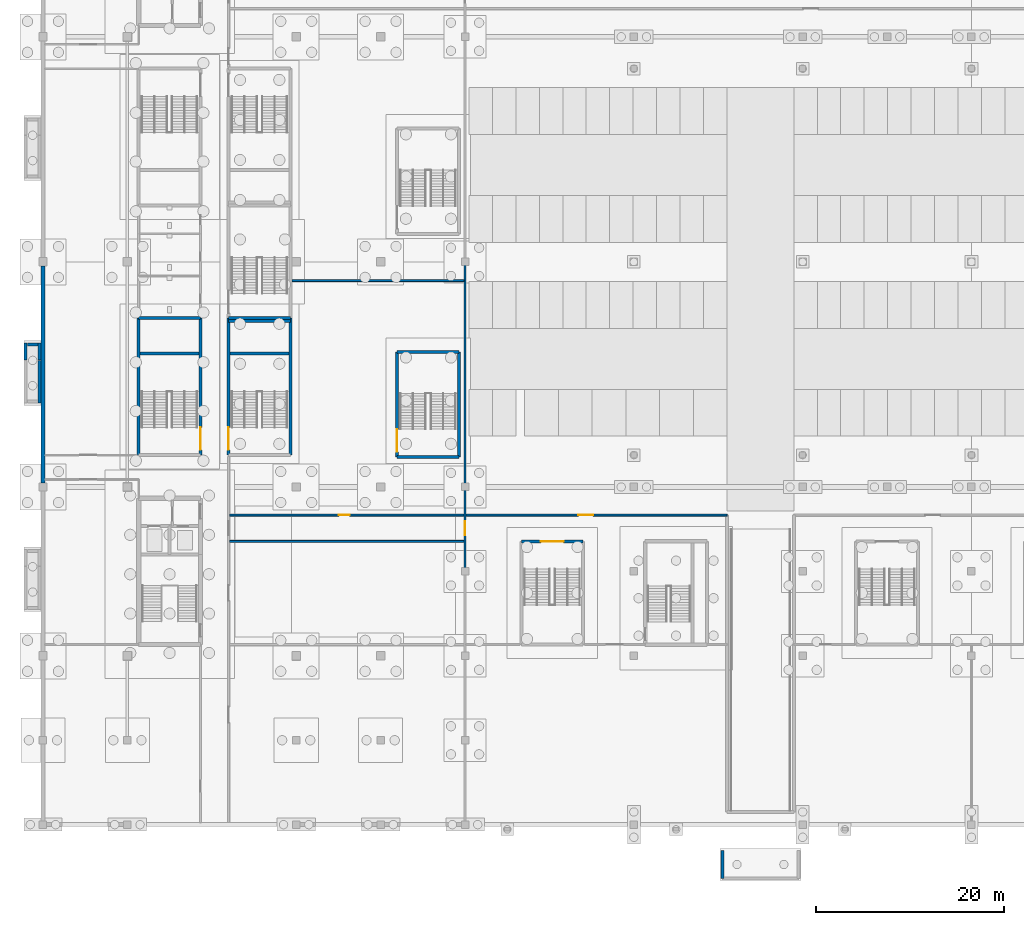
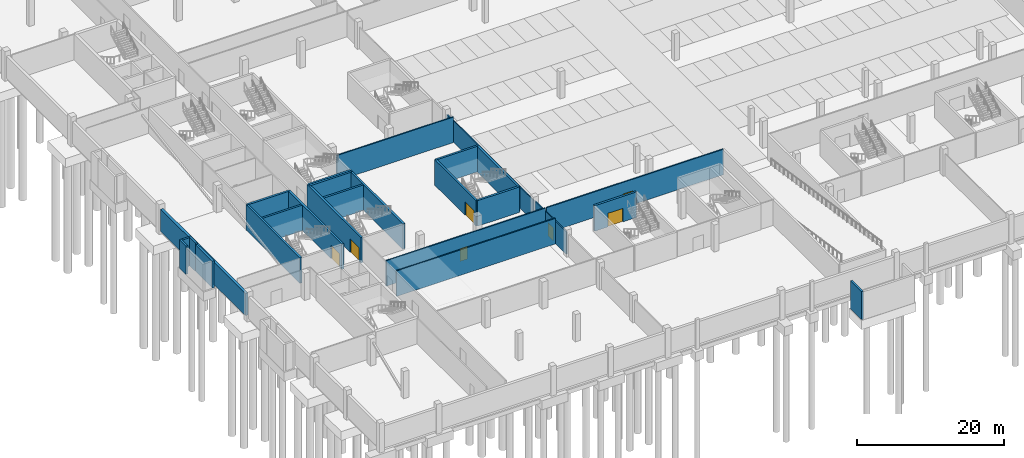
# One storey, part 15 of 46: 26 walls, 7 doors, 7 openings.
"""IFC4 building model written with IfcOpenShell, lengths in metres."""

import ifcopenshell
import ifcopenshell.guid

model = None  # the IFC model being written
_history = None  # IfcOwnerHistory: only IFC2X3 demands one
_inside = {}  # id of a spatial element -> (the spatial element, [elements in it])
_under = {}  # id of a project, library or spatial element -> (it, [spatial elements below it])
_declared = {}  # id of a project -> (the project, [libraries it declares])
_typed = {}  # id of a type object -> (the type object, [elements of that type])
_made_of = {}  # id of a material, layer set ... -> (it, [elements and type objects made of it])


def new_model(schema):
    """Start an empty IFC model of exactly this schema.

    Asked for "IFC4X3", IfcOpenShell would pick the latest addendum, in which some entities
    have other attributes; the version numbers below select the first issue.
    IFC2X3 requires an IfcOwnerHistory on every rooted entity: one is made here for all.
    """
    global model, _history
    if schema == "IFC4X3":
        model = ifcopenshell.file(schema_version=(4, 3, 0, 0))
    else:
        model = ifcopenshell.file(schema=schema)
    _inside.clear()
    _under.clear()
    _declared.clear()
    _typed.clear()
    _made_of.clear()
    _history = None
    if model.schema == "IFC2X3":
        org = make("IfcOrganization", Name="unknown")
        user = make(
            "IfcPersonAndOrganization",
            ThePerson=make("IfcPerson", FamilyName="unknown"),
            TheOrganization=org,
        )
        app = make(
            "IfcApplication",
            ApplicationDeveloper=org,
            Version="unknown",
            ApplicationFullName="unknown",
            ApplicationIdentifier="unknown",
        )
        _history = make(
            "IfcOwnerHistory",
            OwningUser=user,
            OwningApplication=app,
            ChangeAction="ADDED",
            CreationDate=0,
        )
    return model


def make(cls, **values):
    """One entity of the class cls with the attributes given. An attribute that is None is left unset."""
    return model.create_entity(
        cls, **{name: value for name, value in values.items() if value is not None}
    )


def rooted(cls, **values):
    """An entity with a GlobalId (a new one), such as an element, a storey or a relation."""
    return make(cls, GlobalId=ifcopenshell.guid.new(), OwnerHistory=_history, **values)


def si_unit(unit_type, name, prefix=None):
    """IfcSIUnit, for example si_unit("LENGTHUNIT", "METRE", prefix="MILLI")."""
    return make("IfcSIUnit", UnitType=unit_type, Prefix=prefix, Name=name)


def assignment(units):
    """IfcUnitAssignment: the units of a project."""
    return None if units is None else make("IfcUnitAssignment", Units=units)


def point(xyz):
    """IfcCartesianPoint."""
    return None if xyz is None else make("IfcCartesianPoint", Coordinates=xyz)


def direction(xyz):
    """IfcDirection."""
    return None if xyz is None else make("IfcDirection", DirectionRatios=xyz)


def frame(location, z_axis=None, x_axis=None):
    """IfcAxis2Placement3D, a coordinate frame: its origin and axes. An axis left out is left unset."""
    return make(
        "IfcAxis2Placement3D",
        Location=point(location),
        Axis=direction(z_axis),
        RefDirection=direction(x_axis),
    )


def frame_2d(location, x_axis=None):
    """IfcAxis2Placement2D, a coordinate frame in the plane: its origin and x axis."""
    return make(
        "IfcAxis2Placement2D", Location=point(location), RefDirection=direction(x_axis)
    )


def origin():
    """The frame at (0, 0, 0) with its axes left unset."""
    return frame((0.0, 0.0, 0.0))


def place(relative_to, where):
    """IfcLocalPlacement: puts the frame where relative to a parent placement (None: the world)."""
    return make(
        "IfcLocalPlacement", PlacementRelTo=relative_to, RelativePlacement=where
    )


def context(
    kind, dimensions, precision=None, world=None, true_north=None, identifier=None
):
    """IfcGeometricRepresentationContext, for example the 3D "Model" context."""
    return make(
        "IfcGeometricRepresentationContext",
        ContextIdentifier=identifier,
        ContextType=kind,
        CoordinateSpaceDimension=dimensions,
        Precision=precision,
        WorldCoordinateSystem=world,
        TrueNorth=true_north,
    )


def subcontext(parent, identifier, kind, view, scale=None):
    """IfcGeometricRepresentationSubContext, for example "Body" below "Model"."""
    return make(
        "IfcGeometricRepresentationSubContext",
        ContextIdentifier=identifier,
        ContextType=kind,
        ParentContext=parent,
        TargetScale=scale,
        TargetView=view,
    )


def project(units=None, contexts=None):
    """IfcProject with its units and contexts."""
    return rooted(
        "IfcProject",
        Name="project",
        RepresentationContexts=contexts,
        UnitsInContext=assignment(units),
    )


def spatial(cls, under=None, at=None, **own):
    """A site, building, storey or space (cls), placed at a placement, below another one or the project."""
    s = rooted(cls, ObjectPlacement=at, **own)
    if under is not None:
        _under.setdefault(under.id(), (under, []))[1].append(s)
    return s


def profile(cls, at=None, kind="AREA", **sizes):
    """A parametric profile (cls). Its sizes go by their IFC names, for example OverallWidth=200.0."""
    return make(cls, ProfileType=kind, Position=at, **sizes)


def rectangle(**sizes):
    """IfcRectangleProfileDef."""
    return profile("IfcRectangleProfileDef", **sizes)


def extrude(swept, where, along, depth):
    """IfcExtrudedAreaSolid: the profile swept, set in the frame where, extruded along a direction by depth."""
    return make(
        "IfcExtrudedAreaSolid",
        SweptArea=swept,
        Position=where,
        ExtrudedDirection=direction(along),
        Depth=depth,
    )


def shape(context_of_items, identifier, shape_type, items):
    """IfcShapeRepresentation: the items that make up one representation, for example the "Body"."""
    return make(
        "IfcShapeRepresentation",
        ContextOfItems=context_of_items,
        RepresentationIdentifier=identifier,
        RepresentationType=shape_type,
        Items=items,
    )


def material(Name=None, Category=None):
    """IfcMaterial."""
    return make("IfcMaterial", Name=Name, Category=Category)


def layer(
    of_material, thickness, ventilated=None, Name=None, Category=None, Priority=None
):
    """IfcMaterialLayer: one layer of a wall or slab, of a material (None: an air gap)."""
    return make(
        "IfcMaterialLayer",
        Material=of_material,
        LayerThickness=thickness,
        IsVentilated=ventilated,
        Name=Name,
        Category=Category,
        Priority=Priority,
    )


def layer_set(layers, Name=None):
    """IfcMaterialLayerSet."""
    return make("IfcMaterialLayerSet", MaterialLayers=layers, LayerSetName=Name)


def made_of(thing, what):
    """Note that an element or type object is made of a material, layer set ...; save() writes the relation."""
    if what is not None:
        _made_of.setdefault(what.id(), (what, []))[1].append(thing)
    return thing


def type_object(cls, material=None, **own):
    """A type object (cls), such as IfcWallType, which elements share."""
    return made_of(rooted(cls, **own), material)


def element(
    cls,
    number,
    at=None,
    inside=None,
    cuts=None,
    type_object=None,
    material=None,
    context=None,
    identifier="Body",
    shape_type=None,
    held_by="IfcProductDefinitionShape",
    body=None,
    shapes=None,
    **own,
):
    """One element of the class cls, such as IfcWall. Its Tag is "e" and its number.

    at: its placement. inside: the storey or other place that contains it. cuts: it is an
    opening in that element (IfcRelVoidsElement). A single representation is given by context,
    identifier, shape_type and body (its items); several are given by shapes. held_by: the class
    of the entity that holds the representations. save() writes the other relations.
    """
    e = rooted(cls, Tag="e%d" % number, ObjectPlacement=at, **own)
    if body is not None:
        shapes = [shape(context, identifier, shape_type, body)]
    if shapes is not None:
        e.Representation = make(held_by, Representations=shapes)
    if inside is not None:
        _inside.setdefault(inside.id(), (inside, []))[1].append(e)
    if cuts is not None:
        rooted(
            "IfcRelVoidsElement", RelatingBuildingElement=cuts, RelatedOpeningElement=e
        )
    if type_object is not None:
        _typed.setdefault(type_object.id(), (type_object, []))[1].append(e)
    return made_of(e, material)


def fill(opening, filler):
    """IfcRelFillsElement: the door or window that sits in an opening."""
    return rooted(
        "IfcRelFillsElement",
        RelatingOpeningElement=opening,
        RelatedBuildingElement=filler,
    )


def aggregate(whole, parts):
    """IfcRelAggregates: a whole, such as a stair, and the parts it consists of."""
    return rooted("IfcRelAggregates", RelatingObject=whole, RelatedObjects=parts)


def save(model, path):
    """Write the relations noted so far, then the file.

    IfcRelAggregates (storeys below a building ...), IfcRelContainedInSpatialStructure (elements
    in a storey), IfcRelDefinesByType, IfcRelAssociatesMaterial and IfcRelDeclares: one each for
    every whole, place, type object, material and project.
    """
    for whole, parts in _under.values():
        aggregate(whole, parts)
    for where, things in _inside.values():
        rooted(
            "IfcRelContainedInSpatialStructure",
            RelatedElements=things,
            RelatingStructure=where,
        )
    for kind, things in _typed.values():
        rooted("IfcRelDefinesByType", RelatedObjects=things, RelatingType=kind)
    for what, things in _made_of.values():
        rooted("IfcRelAssociatesMaterial", RelatedObjects=things, RelatingMaterial=what)
    for by, libraries in _declared.values():
        rooted("IfcRelDeclares", RelatingContext=by, RelatedDefinitions=libraries)
    model.write(path)


model = new_model("IFC4")

# Units and contexts
model_context = context("Model", 3, precision=1e-05, world=origin(), true_north=direction((0.0, 1.0)))
body_context = subcontext(model_context, "Body", "Model", "MODEL_VIEW")
ifc_project = project(units=[si_unit("LENGTHUNIT", "METRE"), si_unit("AREAUNIT", "SQUARE_METRE"), si_unit("VOLUMEUNIT", "CUBIC_METRE"), si_unit("PLANEANGLEUNIT", "RADIAN"), si_unit("MASSUNIT", "GRAM", prefix="KILO")], contexts=[model_context])

# Site, building, storey
site_placement = place(None, origin())
site = spatial("IfcSite", under=ifc_project, at=site_placement, CompositionType="ELEMENT")
building_placement = place(site_placement, origin())
building = spatial("IfcBuilding", under=site, at=building_placement, Name="Kisiwana Market Hall", CompositionType="ELEMENT")
storey_placement = place(building_placement, frame((0.0, 0.0, -4.5)))
storey = spatial("IfcBuildingStorey", under=building, at=storey_placement, Name="B1", CompositionType="ELEMENT", Elevation=-4.5)

# Walls
ifc_material_1 = material(Name="Concrete C40/50", Category="concrete")
ifc_layer_1 = layer(ifc_material_1, 0.360107421875, Name="Waterproofed RC retaining wall")
ifc_material_2 = material(Name="Mineral wool insulation")
ifc_layer_2 = layer(ifc_material_2, 0.06005859375, Name="XPS drainage protection board")
ifc_layer_set_1 = layer_set([ifc_layer_1, ifc_layer_2], Name="WL-B1-RET-420")
wall_type_1 = type_object("IfcWallType", Name="WL-B1-RET-420", PredefinedType="STANDARD", material=ifc_layer_set_1)
wall_1_placement = place(storey_placement, frame((0.0, 36.44189453125, 0.0), z_axis=(0.0, 0.0, 1.0), x_axis=(0.0, 1.0, 0.0)))
element("IfcWall", 1, at=wall_1_placement, inside=storey, type_object=wall_type_1, Name="Exterior wall W-0186", PredefinedType="STANDARD", context=body_context, shape_type="SweptSolid", body=[
    extrude(rectangle(XDim=23.1162109375, YDim=0.419921875, at=frame_2d((11.55810546875, 0.0))), origin(), (0.0, 0.0, 1.0), 3.699951171875),
])
ifc_material_3 = material(Name="Masonry blockwork", Category="masonry")
ifc_layer_3 = layer(ifc_material_3, 0.199951171875, Name="Plastered fire compartment block wall")
ifc_layer_set_2 = layer_set([ifc_layer_3], Name="WL-COMP-200")
wall_type_2 = type_object("IfcWallType", Name="WL-COMP-200", PredefinedType="PARTITIONING", material=ifc_layer_set_2)
wall_2_placement = place(storey_placement, frame((19.89990234375, 30.199951171875, 0.0), z_axis=(0.0, 0.0, 1.0), x_axis=(1.0, 0.0, 0.0)))
element("IfcWall", 2, at=wall_2_placement, inside=storey, type_object=wall_type_2, Name="Interior partition W-0220", PredefinedType="PARTITIONING", context=body_context, shape_type="SweptSolid", body=[
    extrude(rectangle(XDim=25.01513671875, YDim=0.199951171875, at=frame_2d((12.507568359375, 0.0))), origin(), (0.0, 0.0, 1.0), 4.239990234375),
])

# Wall, opening, door
wall_3_placement = place(storey_placement, frame((19.89990234375, 33.0, 0.0), z_axis=(0.0, 0.0, 1.0), x_axis=(1.0, 0.0, 0.0)))
wall_3 = element("IfcWall", 3, at=wall_3_placement, inside=storey, type_object=wall_type_2, Name="Interior partition W-0221", PredefinedType="PARTITIONING", context=body_context, shape_type="SweptSolid", body=[
    extrude(rectangle(XDim=25.01513671875, YDim=0.199951171875, at=frame_2d((12.507568359375, 0.0))), origin(), (0.0, 0.0, 1.0), 4.239990234375),
])
opening_1_placement = place(wall_3_placement, frame((11.64990234375, 0.0, 0.0)))
opening_1 = element("IfcOpeningElement", 4, at=opening_1_placement, cuts=wall_3, Name="Opening DR-B1-049", PredefinedType="OPENING", context=body_context, shape_type="SweptSolid", body=[
    extrude(rectangle(XDim=1.14990234375, YDim=2.14990234375, at=frame_2d((0.574951171875, 1.074951171875))), frame((0.0, 0.11181640625, 0.0), z_axis=(0.0, -1.0, 0.0), x_axis=(1.0, 0.0, 0.0)), (0.0, 0.0, 1.0), 0.223876953125),
])
ifc_material_4 = material(Name="Aluminium alloy 6063-T6", Category="aluminium")
door_type_1 = type_object("IfcDoorType", Name="DR-MEET-1150", OperationType="NOTDEFINED", PredefinedType="DOOR", material=ifc_material_4)
door_1_placement = place(opening_1_placement, origin())
door_1 = element("IfcDoor", 5, at=door_1_placement, inside=storey, type_object=door_type_1, Name="B1 W Lower Ground Shop C Door", OperationType="SINGLE_SWING_LEFT", OverallHeight=2.14990234375, OverallWidth=1.14990234375, PredefinedType="DOOR", context=body_context, shape_type="SweptSolid", body=[
    extrude(rectangle(XDim=1.14990234375, YDim=2.14990234375, at=frame_2d((0.574951171875, 1.074951171875))), frame((0.0, 0.02490234375, 0.0), z_axis=(0.0, -1.0, 0.0), x_axis=(1.0, 0.0, 0.0)), (0.0, 0.0, 1.0), 0.050048828125),
])
fill(opening_1, door_1)

# Wall
wall_4_placement = place(storey_placement, frame((26.56005859375, 58.0, 0.0), z_axis=(0.0, 0.0, 1.0), x_axis=(1.0, 0.0, 0.0)))
element("IfcWall", 6, at=wall_4_placement, inside=storey, type_object=wall_type_2, Name="Interior partition W-0222", PredefinedType="PARTITIONING", context=body_context, shape_type="SweptSolid", body=[
    extrude(rectangle(XDim=18.35498046875, YDim=0.199951171875, at=frame_2d((9.177490234375, 0.0))), origin(), (0.0, 0.0, 1.0), 4.239990234375),
])

# Wall, opening, door
wall_5_placement = place(storey_placement, frame((45.0849609375, 33.0, 0.0), z_axis=(0.0, 0.0, 1.0), x_axis=(1.0, 0.0, 0.0)))
wall_5 = element("IfcWall", 7, at=wall_5_placement, inside=storey, type_object=wall_type_2, Name="Interior partition W-0282", PredefinedType="PARTITIONING", context=body_context, shape_type="SweptSolid", body=[
    extrude(rectangle(XDim=27.85498046875, YDim=0.199951171875, at=frame_2d((13.927490234375, 0.0))), origin(), (0.0, 0.0, 1.0), 4.239990234375),
])
opening_2_placement = place(wall_5_placement, frame((12.0, 0.0, 0.0)))
opening_2 = element("IfcOpeningElement", 8, at=opening_2_placement, cuts=wall_5, Name="Opening DR-B1-085", PredefinedType="OPENING", context=body_context, shape_type="SweptSolid", body=[
    extrude(rectangle(XDim=1.60009765625, YDim=2.300048828125, at=frame_2d((0.800048828125, 1.14990234375))), frame((0.0, 0.11181640625, 0.0), z_axis=(0.0, -1.0, 0.0), x_axis=(1.0, 0.0, 0.0)), (0.0, 0.0, 1.0), 0.223876953125),
])
ifc_material_5 = material(Name="Steel S275", Category="steel")
door_type_2 = type_object("IfcDoorType", Name="DR-PLANT-FD120-1600", OperationType="DOUBLE_DOOR_SINGLE_SWING", PredefinedType="DOOR", material=ifc_material_5)
door_2_placement = place(opening_2_placement, origin())
door_2 = element("IfcDoor", 9, at=door_2_placement, inside=storey, type_object=door_type_2, Name="B1 Car Park SW Lobby Door", OperationType="DOUBLE_DOOR_SINGLE_SWING", OverallHeight=2.300048828125, OverallWidth=1.60009765625, PredefinedType="DOOR", context=body_context, shape_type="SweptSolid", body=[
    extrude(rectangle(XDim=1.60009765625, YDim=2.300048828125, at=frame_2d((0.800048828125, 1.14990234375))), frame((0.0, 0.02490234375, 0.0), z_axis=(0.0, -1.0, 0.0), x_axis=(1.0, 0.0, 0.0)), (0.0, 0.0, 1.0), 0.050048828125),
])
fill(opening_2, door_2)

# Walls
ifc_material_6 = material(Name="Concrete C40/50", Category="concrete")
ifc_layer_4 = layer(ifc_material_6, 0.320068359375, Name="Reinforced concrete shaft wall")
ifc_layer_set_3 = layer_set([ifc_layer_4], Name="WL-CORE-320")
wall_type_3 = type_object("IfcWallType", Name="WL-CORE-320", PredefinedType="SHEAR", material=ifc_layer_set_3)
wall_6_placement = place(storey_placement, frame((72.449951171875, -5.75, -0.449951171875), z_axis=(0.0, 0.0, 1.0), x_axis=(0.0, 1.0, 0.0)))
element("IfcWall", 10, at=wall_6_placement, inside=storey, type_object=wall_type_3, Name="Vehicle apron support wall W W-0295", PredefinedType="SHEAR", context=body_context, shape_type="SweptSolid", body=[
    extrude(rectangle(XDim=3.0, YDim=0.320068359375, at=frame_2d((1.5, 0.0))), origin(), (0.0, 0.0, 1.0), 4.64990234375),
])
wall_7_placement = place(storey_placement, frame((-0.360107421875, 44.949951171875, -0.449951171875), z_axis=(0.0, 0.0, 1.0), x_axis=(0.0, 1.0, 0.0)))
element("IfcWall", 11, at=wall_7_placement, inside=storey, type_object=wall_type_3, Name="Ramp support plinth wall 02-R W-0304", PredefinedType="SHEAR", context=body_context, shape_type="SweptSolid", body=[
    extrude(rectangle(XDim=4.550048828125, YDim=0.320068359375, at=frame_2d((2.27490234375, 0.0))), origin(), (0.0, 0.0, 1.0), 4.449951171875),
])
for number, where, z_axis, x_axis, name in (
    (12, (-1.840087890625, 49.550048828125, -0.449951171875), (0.0, 0.0, 1.0), (0.0, 1.0, 0.0), "Ramp support plinth wall 02-UL W-0306"),
    (13, (-0.360107421875, 49.550048828125, -0.449951171875), (0.0, 0.0, 1.0), (0.0, 1.0, 0.0), "Ramp support plinth wall 02-UR W-0307"),
):
    element("IfcWall", number, at=place(storey_placement, frame(where, z_axis=z_axis, x_axis=x_axis)), inside=storey, type_object=wall_type_3, Name=name, PredefinedType="SHEAR", context=body_context, shape_type="SweptSolid", body=[
        extrude(rectangle(XDim=1.800048828125, YDim=0.320068359375, at=frame_2d((0.89990234375, 0.0))), origin(), (0.0, 0.0, 1.0), 4.699951171875),
    ])
wall_8_placement = place(storey_placement, frame((-1.64990234375, 51.199951171875, -0.449951171875), z_axis=(0.0, 0.0, 1.0), x_axis=(1.0, 0.0, 0.0)))
element("IfcWall", 14, at=wall_8_placement, inside=storey, type_object=wall_type_3, Name="Ramp support plinth wall 02-UC W-0305", PredefinedType="SHEAR", context=body_context, shape_type="SweptSolid", body=[
    extrude(rectangle(XDim=1.099853515625, YDim=0.320068359375, at=frame_2d((0.5498046875, 0.0))), origin(), (0.0, 0.0, 1.0), 4.699951171875),
])
wall_9_placement = place(storey_placement, frame((10.199951171875, 54.0, 0.0), z_axis=(0.0, 0.0, 1.0), x_axis=(1.0, 0.0, 0.0)))
element("IfcWall", 15, at=wall_9_placement, inside=storey, type_object=wall_type_3, Name="Core W3 north shear wall W-0060", PredefinedType="SHEAR", context=body_context, shape_type="SweptSolid", body=[
    extrude(rectangle(XDim=6.60009765625, YDim=0.320068359375, at=frame_2d((3.300048828125, 0.0))), origin(), (0.0, 0.0, 1.0), 4.239990234375),
])
wall_10_placement = place(storey_placement, frame((10.199951171875, 39.39990234375, 0.0), z_axis=(0.0, 0.0, 1.0), x_axis=(0.0, 1.0, 0.0)))
element("IfcWall", 16, at=wall_10_placement, inside=storey, type_object=wall_type_3, Name="Core W3 outer shear wall W-0061", PredefinedType="SHEAR", context=body_context, shape_type="SweptSolid", body=[
    extrude(rectangle(XDim=14.60009765625, YDim=0.320068359375, at=frame_2d((7.300048828125, 0.0))), origin(), (0.0, 0.0, 1.0), 4.239990234375),
])

# Wall, opening, door
wall_11_placement = place(storey_placement, frame((16.800048828125, 39.39990234375, 0.0), z_axis=(0.0, 0.0, 1.0), x_axis=(0.0, 1.0, 0.0)))
wall_11 = element("IfcWall", 17, at=wall_11_placement, inside=storey, type_object=wall_type_3, Name="Core W3 corridor shear wall W-0062", PredefinedType="SHEAR", context=body_context, shape_type="SweptSolid", body=[
    extrude(rectangle(XDim=14.60009765625, YDim=0.320068359375, at=frame_2d((7.300048828125, 0.0))), origin(), (0.0, 0.0, 1.0), 4.239990234375),
])
opening_3_placement = place(wall_11_placement, frame((0.550048828125, 0.0, 0.0)))
opening_3 = element("IfcOpeningElement", 18, at=opening_3_placement, cuts=wall_11, Name="Opening DR-B1-019", PredefinedType="OPENING", context=body_context, shape_type="SweptSolid", body=[
    extrude(rectangle(XDim=2.39990234375, YDim=2.25, at=frame_2d((1.199951171875, 1.125))), frame((0.0, 0.171875, 0.0), z_axis=(0.0, -1.0, 0.0), x_axis=(1.0, 0.0, 0.0)), (0.0, 0.0, 1.0), 0.343994140625),
])
ifc_material_7 = material(Name="Steel S275", Category="steel")
door_type_3 = type_object("IfcDoorType", Name="DR-STAIR-FD120-2400", OperationType="DOUBLE_DOOR_SINGLE_SWING", PredefinedType="DOOR", material=ifc_material_7)
door_3_placement = place(opening_3_placement, origin())
door_3 = element("IfcDoor", 19, at=door_3_placement, inside=storey, type_object=door_type_3, Name="Escape Stair W3 Fire Door (B1)", OperationType="DOUBLE_DOOR_SINGLE_SWING", OverallHeight=2.25, OverallWidth=2.39990234375, PredefinedType="DOOR", context=body_context, shape_type="SweptSolid", body=[
    extrude(rectangle(XDim=2.39990234375, YDim=2.25, at=frame_2d((1.199951171875, 1.125))), frame((0.0, 0.02490234375, 0.0), z_axis=(0.0, -1.0, 0.0), x_axis=(1.0, 0.0, 0.0)), (0.0, 0.0, 1.0), 0.050048828125),
])
fill(opening_3, door_3)

# Walls
wall_12_placement = place(storey_placement, frame((10.360107421875, 50.219970703125, 0.0), z_axis=(0.0, 0.0, 1.0), x_axis=(1.0, 0.0, 0.0)))
element("IfcWall", 20, at=wall_12_placement, inside=storey, type_object=wall_type_3, Name="Core W3 riser divider shear wall W-0063", PredefinedType="SHEAR", context=body_context, shape_type="SweptSolid", body=[
    extrude(rectangle(XDim=6.27978515625, YDim=0.320068359375, at=frame_2d((3.139892578125, 0.0))), origin(), (0.0, 0.0, 1.0), 4.239990234375),
])
wall_13_placement = place(storey_placement, frame((19.800048828125, 54.0, 0.0), z_axis=(0.0, 0.0, 1.0), x_axis=(1.0, 0.0, 0.0)))
element("IfcWall", 21, at=wall_13_placement, inside=storey, type_object=wall_type_3, Name="Core W7 north shear wall W-0080", PredefinedType="SHEAR", context=body_context, shape_type="SweptSolid", body=[
    extrude(rectangle(XDim=6.599853515625, YDim=0.320068359375, at=frame_2d((3.2998046875, 0.0))), origin(), (0.0, 0.0, 1.0), 4.239990234375),
])

# Wall, opening, door
wall_14_placement = place(storey_placement, frame((19.800048828125, 39.39990234375, 0.0), z_axis=(0.0, 0.0, 1.0), x_axis=(0.0, 1.0, 0.0)))
wall_14 = element("IfcWall", 22, at=wall_14_placement, inside=storey, type_object=wall_type_3, Name="Core W7 corridor shear wall W-0081", PredefinedType="SHEAR", context=body_context, shape_type="SweptSolid", body=[
    extrude(rectangle(XDim=14.60009765625, YDim=0.320068359375, at=frame_2d((7.300048828125, 0.0))), origin(), (0.0, 0.0, 1.0), 4.239990234375),
])
opening_4_placement = place(wall_14_placement, frame((0.550048828125, 0.0, 0.0)))
opening_4 = element("IfcOpeningElement", 23, at=opening_4_placement, cuts=wall_14, Name="Opening DR-B1-023", PredefinedType="OPENING", context=body_context, shape_type="SweptSolid", body=[
    extrude(rectangle(XDim=2.39990234375, YDim=2.25, at=frame_2d((1.199951171875, 1.125))), frame((0.0, 0.171875, 0.0), z_axis=(0.0, -1.0, 0.0), x_axis=(1.0, 0.0, 0.0)), (0.0, 0.0, 1.0), 0.343994140625),
])
door_4_placement = place(opening_4_placement, frame((2.39990234375, 0.0, 0.0), z_axis=(0.0, 0.0, 1.0), x_axis=(-1.0, 0.0, 0.0)))
door_4 = element("IfcDoor", 24, at=door_4_placement, inside=storey, type_object=door_type_3, Name="Escape Stair W7 Fire Door (B1)", OperationType="DOUBLE_DOOR_SINGLE_SWING", OverallHeight=2.25, OverallWidth=2.39990234375, PredefinedType="DOOR", context=body_context, shape_type="SweptSolid", body=[
    extrude(rectangle(XDim=2.39990234375, YDim=2.25, at=frame_2d((1.199951171875, 1.125))), frame((0.0, 0.02490234375, 0.0), z_axis=(0.0, -1.0, 0.0), x_axis=(1.0, 0.0, 0.0)), (0.0, 0.0, 1.0), 0.050048828125),
])
fill(opening_4, door_4)

# Walls
wall_15_placement = place(storey_placement, frame((26.39990234375, 39.39990234375, 0.0), z_axis=(0.0, 0.0, 1.0), x_axis=(0.0, 1.0, 0.0)))
element("IfcWall", 25, at=wall_15_placement, inside=storey, type_object=wall_type_3, Name="Core W7 outer shear wall W-0082", PredefinedType="SHEAR", context=body_context, shape_type="SweptSolid", body=[
    extrude(rectangle(XDim=14.60009765625, YDim=0.320068359375, at=frame_2d((7.300048828125, 0.0))), origin(), (0.0, 0.0, 1.0), 4.239990234375),
])
wall_16_placement = place(storey_placement, frame((19.9599609375, 50.219970703125, 0.0), z_axis=(0.0, 0.0, 1.0), x_axis=(1.0, 0.0, 0.0)))
element("IfcWall", 26, at=wall_16_placement, inside=storey, type_object=wall_type_3, Name="Core W7 riser divider shear wall W-0083", PredefinedType="SHEAR", context=body_context, shape_type="SweptSolid", body=[
    extrude(rectangle(XDim=6.280029296875, YDim=0.320068359375, at=frame_2d((3.14013671875, 0.0))), origin(), (0.0, 0.0, 1.0), 4.239990234375),
])
for number, where, z_axis, x_axis, name in (
    (27, (37.77001953125, 39.199951171875, 0.0), (0.0, 0.0, 1.0), (1.0, 0.0, 0.0), "Core W9 south shear wall W-0099"),
    (28, (37.77001953125, 50.39990234375, 0.0), (0.0, 0.0, 1.0), (1.0, 0.0, 0.0), "Core W9 north shear wall W-0100"),
):
    element("IfcWall", number, at=place(storey_placement, frame(where, z_axis=z_axis, x_axis=x_axis)), inside=storey, type_object=wall_type_3, Name=name, PredefinedType="SHEAR", context=body_context, shape_type="SweptSolid", body=[
        extrude(rectangle(XDim=6.60009765625, YDim=0.320068359375, at=frame_2d((3.300048828125, 0.0))), origin(), (0.0, 0.0, 1.0), 4.239990234375),
    ])

# Wall, opening, door
wall_17_placement = place(storey_placement, frame((37.77001953125, 39.199951171875, 0.0), z_axis=(0.0, 0.0, 1.0), x_axis=(0.0, 1.0, 0.0)))
wall_17 = element("IfcWall", 29, at=wall_17_placement, inside=storey, type_object=wall_type_3, Name="Core W9 corridor shear wall W-0101", PredefinedType="SHEAR", context=body_context, shape_type="SweptSolid", body=[
    extrude(rectangle(XDim=11.199951171875, YDim=0.320068359375, at=frame_2d((5.60009765625, 0.0))), origin(), (0.0, 0.0, 1.0), 4.239990234375),
])
opening_5_placement = place(wall_17_placement, frame((0.550048828125, 0.0, 0.0)))
opening_5 = element("IfcOpeningElement", 30, at=opening_5_placement, cuts=wall_17, Name="Opening DR-B1-027", PredefinedType="OPENING", context=body_context, shape_type="SweptSolid", body=[
    extrude(rectangle(XDim=2.39990234375, YDim=2.25, at=frame_2d((1.199951171875, 1.125))), frame((0.0, 0.171875, 0.0), z_axis=(0.0, -1.0, 0.0), x_axis=(1.0, 0.0, 0.0)), (0.0, 0.0, 1.0), 0.343994140625),
])
door_5_placement = place(opening_5_placement, frame((2.39990234375, 0.0, 0.0), z_axis=(0.0, 0.0, 1.0), x_axis=(-1.0, 0.0, 0.0)))
door_5 = element("IfcDoor", 31, at=door_5_placement, inside=storey, type_object=door_type_3, Name="Escape Stair W9 Fire Door (B1)", OperationType="DOUBLE_DOOR_SINGLE_SWING", OverallHeight=2.25, OverallWidth=2.39990234375, PredefinedType="DOOR", context=body_context, shape_type="SweptSolid", body=[
    extrude(rectangle(XDim=2.39990234375, YDim=2.25, at=frame_2d((1.199951171875, 1.125))), frame((0.0, 0.02490234375, 0.0), z_axis=(0.0, -1.0, 0.0), x_axis=(1.0, 0.0, 0.0)), (0.0, 0.0, 1.0), 0.050048828125),
])
fill(opening_5, door_5)

# Walls
wall_18_placement = place(storey_placement, frame((44.3701171875, 39.199951171875, 0.0), z_axis=(0.0, 0.0, 1.0), x_axis=(0.0, 1.0, 0.0)))
element("IfcWall", 32, at=wall_18_placement, inside=storey, type_object=wall_type_3, Name="Core W9 outer shear wall W-0102", PredefinedType="SHEAR", context=body_context, shape_type="SweptSolid", body=[
    extrude(rectangle(XDim=11.199951171875, YDim=0.320068359375, at=frame_2d((5.60009765625, 0.0))), origin(), (0.0, 0.0, 1.0), 4.239990234375),
])
wall_19_placement = place(storey_placement, frame((19.800048828125, 53.679931640625, 0.0), z_axis=(0.0, 0.0, 1.0), x_axis=(1.0, 0.0, 0.0)))
element("IfcWall", 33, at=wall_19_placement, inside=storey, type_object=wall_type_3, Name="Core W5 south shear wall W-0115", PredefinedType="SHEAR", context=body_context, shape_type="SweptSolid", body=[
    extrude(rectangle(XDim=6.599853515625, YDim=0.320068359375, at=frame_2d((3.2998046875, 0.0))), origin(), (0.0, 0.0, 1.0), 4.239990234375),
])

# Wall, opening, door
wall_20_placement = place(storey_placement, frame((51.0, 30.199951171875, 0.0), z_axis=(0.0, 0.0, 1.0), x_axis=(1.0, 0.0, 0.0)))
wall_20 = element("IfcWall", 34, at=wall_20_placement, inside=storey, type_object=wall_type_3, Name="Core S3 corridor shear wall W-0124", PredefinedType="SHEAR", context=body_context, shape_type="SweptSolid", body=[
    extrude(rectangle(XDim=6.60009765625, YDim=0.320068359375, at=frame_2d((3.300048828125, 0.0))), origin(), (0.0, 0.0, 1.0), 4.239990234375),
])
opening_6_placement = place(wall_20_placement, frame((2.10009765625, 0.0, 0.0)))
opening_6 = element("IfcOpeningElement", 35, at=opening_6_placement, cuts=wall_20, Name="Opening DR-B1-033", PredefinedType="OPENING", context=body_context, shape_type="SweptSolid", body=[
    extrude(rectangle(XDim=2.39990234375, YDim=2.25, at=frame_2d((1.199951171875, 1.125))), frame((0.0, 0.171875, 0.0), z_axis=(0.0, -1.0, 0.0), x_axis=(1.0, 0.0, 0.0)), (0.0, 0.0, 1.0), 0.343994140625),
])
door_6_placement = place(opening_6_placement, frame((2.39990234375, 0.0, 0.0), z_axis=(0.0, 0.0, 1.0), x_axis=(-1.0, 0.0, 0.0)))
door_6 = element("IfcDoor", 36, at=door_6_placement, inside=storey, type_object=door_type_3, Name="Escape Stair S3 Fire Door (B1)", OperationType="DOUBLE_DOOR_SINGLE_SWING", OverallHeight=2.25, OverallWidth=2.39990234375, PredefinedType="DOOR", context=body_context, shape_type="SweptSolid", body=[
    extrude(rectangle(XDim=2.39990234375, YDim=2.25, at=frame_2d((1.199951171875, 1.125))), frame((0.0, 0.02490234375, 0.0), z_axis=(0.0, -1.0, 0.0), x_axis=(1.0, 0.0, 0.0)), (0.0, 0.0, 1.0), 0.050048828125),
])
fill(opening_6, door_6)

ifc_material_8 = material(Name="Masonry blockwork", Category="masonry")
ifc_layer_5 = layer(ifc_material_8, 0.169921875, Name="Protected corridor partition")
ifc_layer_set_4 = layer_set([ifc_layer_5], Name="WL-CORR-170")
wall_type_4 = type_object("IfcWallType", Name="WL-CORR-170", PredefinedType="PARTITIONING", material=ifc_layer_set_4)
wall_21_placement = place(storey_placement, frame((45.0, 27.219970703125, 0.0), z_axis=(0.0, 0.0, 1.0), x_axis=(0.0, 1.0, 0.0)))
wall_21 = element("IfcWall", 37, at=wall_21_placement, inside=storey, type_object=wall_type_4, Name="Interior partition W-0230", PredefinedType="PARTITIONING", context=body_context, shape_type="SweptSolid", body=[
    extrude(rectangle(XDim=8.56005859375, YDim=0.169921875, at=frame_2d((4.280029296875, 0.0))), origin(), (0.0, 0.0, 1.0), 3.706787109375),
])
opening_7_placement = place(wall_21_placement, frame((3.6298828125, 0.0, 0.0)))
opening_7 = element("IfcOpeningElement", 38, at=opening_7_placement, cuts=wall_21, Name="Opening DR-B1-058", PredefinedType="OPENING", context=body_context, shape_type="SweptSolid", body=[
    extrude(rectangle(XDim=1.5, YDim=2.199951171875, at=frame_2d((0.75, 1.10009765625))), frame((0.0, 0.096923828125, 0.0), z_axis=(0.0, -1.0, 0.0), x_axis=(1.0, 0.0, 0.0)), (0.0, 0.0, 1.0), 0.19384765625),
])
ifc_material_9 = material(Name="Steel S275", Category="steel")
door_type_4 = type_object("IfcDoorType", Name="DR-CORR-FD60-1500", OperationType="DOUBLE_DOOR_SINGLE_SWING", PredefinedType="DOOR", material=ifc_material_9)
door_7_placement = place(opening_7_placement, origin())
door_7 = element("IfcDoor", 39, at=door_7_placement, inside=storey, type_object=door_type_4, Name="B1 W South Spine Link Door", OperationType="DOUBLE_DOOR_SINGLE_SWING", OverallHeight=2.199951171875, OverallWidth=1.5, PredefinedType="DOOR", context=body_context, shape_type="SweptSolid", body=[
    extrude(rectangle(XDim=1.5, YDim=2.199951171875, at=frame_2d((0.75, 1.10009765625))), frame((0.0, 0.02490234375, 0.0), z_axis=(0.0, -1.0, 0.0), x_axis=(1.0, 0.0, 0.0)), (0.0, 0.0, 1.0), 0.050048828125),
])
fill(opening_7, door_7)

# Wall
wall_22_placement = place(storey_placement, frame((45.0, 36.219970703125, 0.0), z_axis=(0.0, 0.0, 1.0), x_axis=(0.0, 1.0, 0.0)))
element("IfcWall", 40, at=wall_22_placement, inside=storey, type_object=wall_type_4, Name="Interior partition W-0231", PredefinedType="PARTITIONING", context=body_context, shape_type="SweptSolid", body=[
    extrude(rectangle(XDim=23.56005859375, YDim=0.169921875, at=frame_2d((11.780029296875, 0.0))), origin(), (0.0, 0.0, 1.0), 3.556396484375),
])

save(model, "model.ifc")
